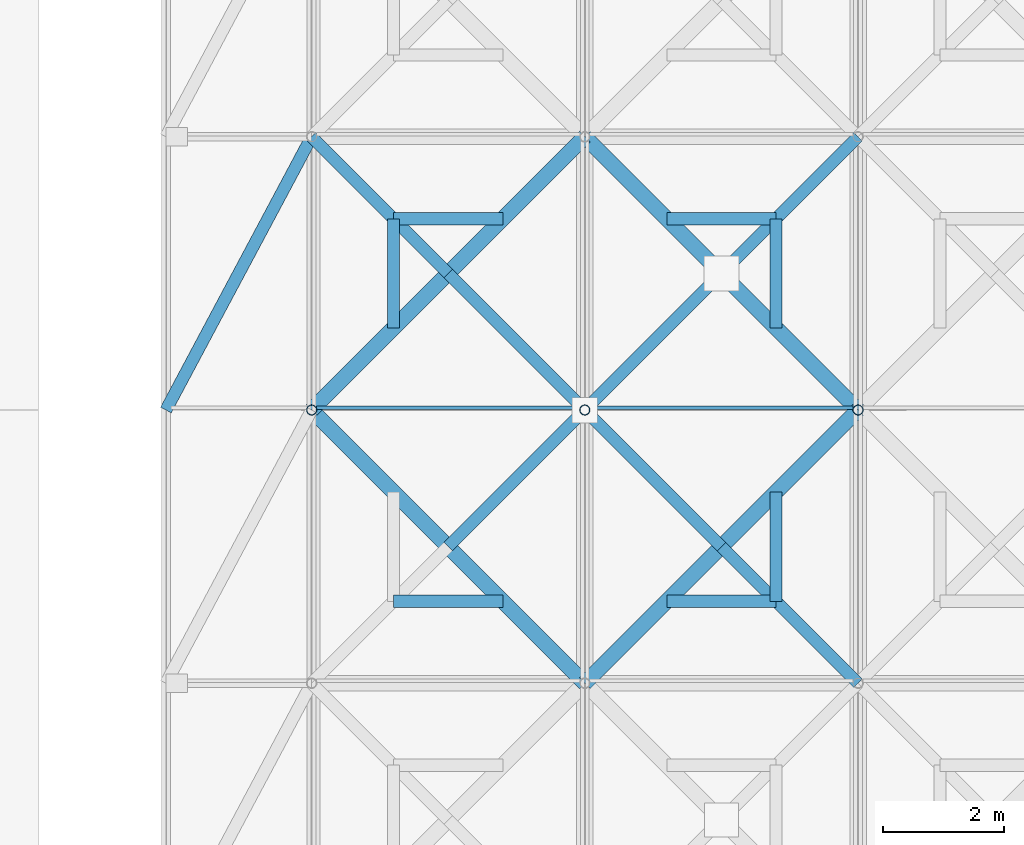
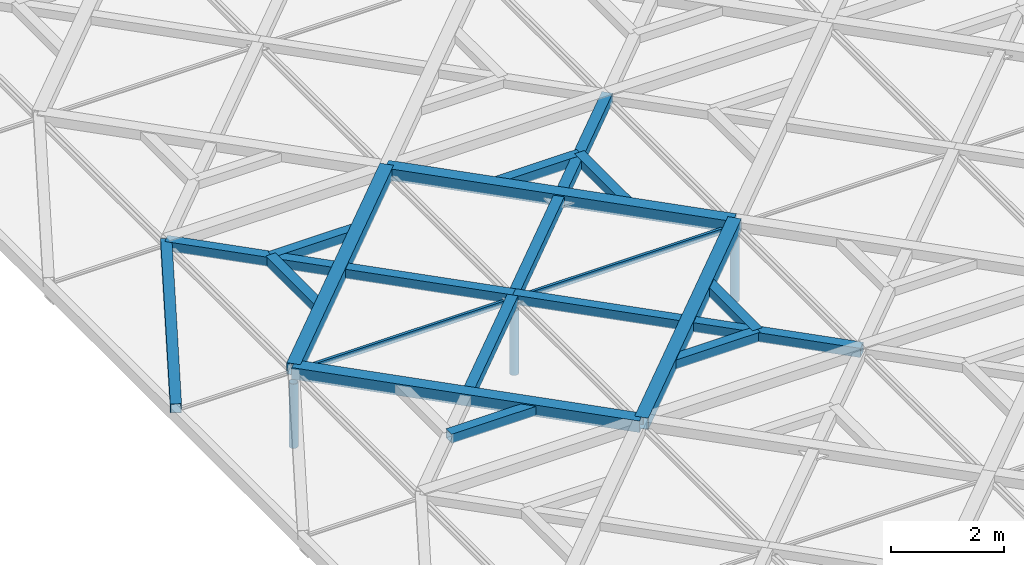
# One storey, part 4 of 80: 23 members, 2 elements without a shape of their own.
"""IFC4 building model written with IfcOpenShell, lengths in metres."""

from ifc_helpers import new_model, si_unit, direction, frame, origin, origin_2d, place, context, subcontext, project, spatial, rectangle, hollow_rectangle, hollow_circle, extrude, material, material_profile, profile_set, type_object, element, aggregate, save


model = new_model("IFC4")

# Units and contexts
model_context = context("Model", 3, precision=1e-05, world=origin(), true_north=direction((0.0, 1.0)))
body_context = subcontext(model_context, "Body", "Model", "MODEL_VIEW")
ifc_project = project(units=[si_unit("LENGTHUNIT", "METRE"), si_unit("AREAUNIT", "SQUARE_METRE"), si_unit("VOLUMEUNIT", "CUBIC_METRE"), si_unit("PLANEANGLEUNIT", "RADIAN"), si_unit("MASSUNIT", "GRAM", prefix="KILO"), si_unit("THERMODYNAMICTEMPERATUREUNIT", "KELVIN"), si_unit("POWERUNIT", "WATT")], contexts=[model_context])

# Site, building, storey
site_placement = place(None, origin())
site = spatial("IfcSite", under=ifc_project, at=site_placement, CompositionType="ELEMENT")
building_placement = place(site_placement, origin())
building = spatial("IfcBuilding", under=site, at=building_placement, Name="Tallowbark Science Centre", CompositionType="ELEMENT")
storey_placement = place(building_placement, frame((0.0, 0.0, 25.949951171875)))
storey = spatial("IfcBuildingStorey", under=building, at=storey_placement, Name="ROOF", CompositionType="ELEMENT", Elevation=25.949951171875)

# Curtain wall, member
ifc_material_1 = material(Name="Blue-Tinted Laminated Low-E Skylight Glass", Category="glass")
curtain_wall_type = type_object("IfcCurtainWallType", Name="CW-SKY-ROOF", PredefinedType="NOTDEFINED", material=ifc_material_1)
curtain_wall_1_placement = place(storey_placement, origin())
curtain_wall_1 = element("IfcCurtainWall", 1, at=curtain_wall_1_placement, inside=storey, type_object=curtain_wall_type, Name="Exhibition Star-Screen Skylight Bay 2", PredefinedType="NOTDEFINED")
ifc_material_2 = material(Name="Anodised Architectural Aluminium Alloy 6063-T6", Category="aluminium")
ifc_material_profile_1 = material_profile(ifc_material_2, rectangle(XDim=0.054931640625, YDim=0.1201171875, at=origin_2d()), Name="ALU55x120")
ifc_profile_set_1 = profile_set([ifc_material_profile_1], Name="Anodised Architectural Aluminium Alloy 6063-T6")
member_type_1 = type_object("IfcMemberType", Name="CWM-SKY-TRN", PredefinedType="USERDEFINED", material=ifc_profile_set_1)
member_1_placement = place(storey_placement, frame((58.580078125, 18.0400390625, 0.35205078125), z_axis=(1.0, 0.0, 0.0), x_axis=(0.0, 1.0, 0.0)))
member_1 = element("IfcMember", 2, at=member_1_placement, type_object=member_type_1, Name="Skylight Bay 2 Transom 5", ObjectType="TRANSOM", PredefinedType="USERDEFINED", context=body_context, shape_type="SweptSolid", body=[
    extrude(rectangle(XDim=0.054931640625, YDim=0.1201171875, at=origin_2d()), origin(), (0.0, 0.0, 1.0), 4.33984375),
])
aggregate(curtain_wall_1, [member_1])

curtain_wall_2_placement = place(storey_placement, origin())
curtain_wall_2 = element("IfcCurtainWall", 3, at=curtain_wall_2_placement, inside=storey, type_object=curtain_wall_type, Name="Exhibition Star-Screen Skylight Bay 3", PredefinedType="NOTDEFINED")
member_2_placement = place(storey_placement, frame((63.080078125, 18.0400390625, 0.35205078125), z_axis=(1.0, 0.0, 0.0), x_axis=(0.0, 1.0, 0.0)))
member_2 = element("IfcMember", 4, at=member_2_placement, type_object=member_type_1, Name="Skylight Bay 3 Transom 5", ObjectType="TRANSOM", PredefinedType="USERDEFINED", context=body_context, shape_type="SweptSolid", body=[
    extrude(rectangle(XDim=0.054931640625, YDim=0.1201171875, at=origin_2d()), origin(), (0.0, 0.0, 1.0), 4.33984375),
])
aggregate(curtain_wall_2, [member_2])

# Members
ifc_material_3 = material(Name="White Architectural Painted Steel Grade C350L0 (350 MPa)", Category="steel")
ifc_material_profile_2 = material_profile(ifc_material_3, hollow_rectangle(XDim=0.25, YDim=0.25, WallThickness=0.009033203125, at=origin_2d()), Name="250x250x9.0SHS")
ifc_profile_set_2 = profile_set([ifc_material_profile_2], Name="White Architectural Painted Steel Grade C350L0 (350 MPa)")
member_type_2 = type_object("IfcMemberType", Name="SCR-CHD200", PredefinedType="CHORD", material=ifc_profile_set_2)
for number, where, z_axis, x_axis, name in (
    (5, (63.0, 13.5, 0.449951171875), (0.707106781187, 0.707106781187, 0.0), (-0.707106781187, 0.707106781187, 0.0), "Star Screen Octagram Diamond Chord TOP-55-1"),
    (6, (67.5, 18.0, 0.449951171875), (-0.707106781187, 0.707106781187, 0.0), (-0.707106781187, -0.707106781187, 0.0), "Star Screen Octagram Diamond Chord TOP-55-2"),
    (7, (63.0, 22.5, 0.449951171875), (-0.707106781187, -0.707106781187, 0.0), (0.707106781187, -0.707106781187, 0.0), "Star Screen Octagram Diamond Chord TOP-55-3"),
    (8, (58.5, 18.0, 0.449951171875), (0.707106781187, -0.707106781187, 0.0), (0.707106781187, 0.707106781187, 0.0), "Star Screen Octagram Diamond Chord TOP-55-4"),
):
    element("IfcMember", number, at=place(storey_placement, frame(where, z_axis=z_axis, x_axis=x_axis)), inside=storey, type_object=member_type_2, Name=name, PredefinedType="CHORD", context=body_context, shape_type="SweptSolid", body=[
        extrude(hollow_rectangle(XDim=0.25, YDim=0.25, WallThickness=0.009033203125, at=origin_2d()), origin(), (0.0, 0.0, 1.0), 6.364013671875),
    ])
ifc_material_profile_3 = material_profile(ifc_material_3, hollow_rectangle(XDim=0.199951171875, YDim=0.199951171875, WallThickness=0.009033203125, at=origin_2d()), Name="200x200x9.0SHS")
ifc_profile_set_3 = profile_set([ifc_material_profile_3], Name="White Architectural Painted Steel Grade C350L0 (350 MPa)")
member_type_3 = type_object("IfcMemberType", Name="SCR-STAR139", PredefinedType="BRACE", material=ifc_profile_set_3)
member_3_placement = place(storey_placement, frame((60.75, 15.75, 0.449951171875), z_axis=(0.707106781187, 0.707106781187, 0.0), x_axis=(-0.707106781187, 0.707106781187, 0.0)))
element("IfcMember", 9, at=member_3_placement, inside=storey, type_object=member_type_3, Name="Star Screen Continuous X-Diagonal D1M TOP-55", PredefinedType="BRACE", context=body_context, shape_type="SweptSolid", body=[
    extrude(hollow_rectangle(XDim=0.199951171875, YDim=0.199951171875, WallThickness=0.009033203125, at=origin_2d()), origin(), (0.0, 0.0, 1.0), 6.364013671875),
])
for number, where, z_axis, x_axis, name in (
    (10, (65.25, 20.25, 0.449951171875), (0.707106781187, 0.707106781187, 0.0), (-0.707106781187, 0.707106781187, 0.0), "Star Screen Continuous X-Diagonal D1B TOP-55"),
    (11, (58.5, 22.5, 0.449951171875), (0.707106781187, -0.707106781187, 0.0), (0.707106781187, 0.707106781187, 0.0), "Star Screen Split X-Diagonal D2A TOP-55"),
    (12, (60.75, 20.25, 0.449951171875), (0.707106781187, -0.707106781187, 0.0), (0.707106781187, 0.707106781187, 0.0), "Star Screen Split X-Diagonal D2B TOP-55"),
    (13, (63.0, 18.0, 0.449951171875), (0.707106781187, -0.707106781187, 0.0), (0.707106781187, 0.707106781187, 0.0), "Star Screen Split X-Diagonal D2C TOP-55"),
    (14, (65.25, 15.75, 0.449951171875), (0.707106781187, -0.707106781187, 0.0), (0.707106781187, 0.707106781187, 0.0), "Star Screen Split X-Diagonal D2D TOP-55"),
):
    element("IfcMember", number, at=place(storey_placement, frame(where, z_axis=z_axis, x_axis=x_axis)), inside=storey, type_object=member_type_3, Name=name, PredefinedType="BRACE", context=body_context, shape_type="SweptSolid", body=[
        extrude(hollow_rectangle(XDim=0.199951171875, YDim=0.199951171875, WallThickness=0.009033203125, at=origin_2d()), origin(), (0.0, 0.0, 1.0), 3.181884765625),
    ])
member_4_placement = place(storey_placement, frame((56.10009765625, 18.0, 0.449951171875), z_axis=(0.470573327259, 0.882360891967, 0.0), x_axis=(-0.882360891967, 0.470573327259, 0.0)))
element("IfcMember", 15, at=member_4_placement, inside=storey, type_object=member_type_3, Name="Top Perimeter Gap Star Diagonal 1-5", PredefinedType="BRACE", context=body_context, shape_type="SweptSolid", body=[
    extrude(hollow_rectangle(XDim=0.199951171875, YDim=0.199951171875, WallThickness=0.009033203125, at=origin_2d()), origin(), (0.0, 0.0, 1.0), 5.099853515625),
])
ifc_material_profile_4 = material_profile(ifc_material_3, hollow_rectangle(XDim=0.199951171875, YDim=0.199951171875, WallThickness=0.009033203125, at=origin_2d()), Name="200x200x9.0SHS")
ifc_profile_set_4 = profile_set([ifc_material_profile_4], Name="White Architectural Painted Steel Grade C350L0 (350 MPa)")
member_type_4 = type_object("IfcMemberType", Name="SCR-SUB150", PredefinedType="BRACE", material=ifc_profile_set_4)
for number, where, z_axis, x_axis, name in (
    (16, (59.85009765625, 14.85009765625, 0.449951171875), (1.0, 0.0, 0.0), (0.0, 1.0, 0.0), "Star Screen Octagram Point Ray TOP-55-1"),
    (17, (66.14990234375, 14.85009765625, 0.449951171875), (-1.0, 0.0, 0.0), (0.0, -1.0, 0.0), "Star Screen Octagram Point Ray TOP-55-3"),
    (18, (66.14990234375, 14.85009765625, 0.449951171875), (0.0, 1.0, 0.0), (-1.0, 0.0, 0.0), "Star Screen Octagram Point Ray TOP-55-4"),
    (19, (66.14990234375, 21.14990234375, 0.449951171875), (-1.0, 0.0, 0.0), (0.0, -1.0, 0.0), "Star Screen Octagram Point Ray TOP-55-5"),
    (20, (66.14990234375, 21.14990234375, 0.449951171875), (0.0, -1.0, 0.0), (1.0, 0.0, 0.0), "Star Screen Octagram Point Ray TOP-55-6"),
    (21, (59.85009765625, 21.14990234375, 0.449951171875), (1.0, 0.0, 0.0), (0.0, 1.0, 0.0), "Star Screen Octagram Point Ray TOP-55-7"),
    (22, (59.85009765625, 21.14990234375, 0.449951171875), (0.0, -1.0, 0.0), (1.0, 0.0, 0.0), "Star Screen Octagram Point Ray TOP-55-8"),
):
    element("IfcMember", number, at=place(storey_placement, frame(where, z_axis=z_axis, x_axis=x_axis)), inside=storey, type_object=member_type_4, Name=name, PredefinedType="BRACE", context=body_context, shape_type="SweptSolid", body=[
        extrude(hollow_rectangle(XDim=0.199951171875, YDim=0.199951171875, WallThickness=0.009033203125, at=origin_2d()), origin(), (0.0, 0.0, 1.0), 1.7998046875),
    ])
ifc_material_profile_5 = material_profile(ifc_material_3, hollow_circle(Radius=0.084228515625, WallThickness=0.007080078125, at=origin_2d()), Name="168.3x7.1CHS")
ifc_profile_set_5 = profile_set([ifc_material_profile_5], Name="White Architectural Painted Steel Grade C350L0 (350 MPa)")
member_type_5 = type_object("IfcMemberType", Name="TR-WEB168", PredefinedType="BRACE", material=ifc_profile_set_5)
for number, where, z_axis, x_axis, name in (
    (23, (58.5, 18.0, -1.199951171875), (0.0, 0.0, 1.0), (1.0, 0.0, 0.0), "Exhibition Roof Truss Web 1-18"),
    (24, (63.0, 18.0, -1.199951171875), (0.0, 0.0, 1.0), (1.0, 0.0, 0.0), "Exhibition Roof Truss Web 2-18"),
    (25, (67.5, 18.0, -1.199951171875), (0.0, 0.0, 1.0), (1.0, 0.0, 0.0), "Exhibition Roof Truss Web 3-18"),
):
    element("IfcMember", number, at=place(storey_placement, frame(where, z_axis=z_axis, x_axis=x_axis)), inside=storey, type_object=member_type_5, Name=name, PredefinedType="BRACE", context=body_context, shape_type="SweptSolid", body=[
        extrude(hollow_circle(Radius=0.084228515625, WallThickness=0.007080078125, at=origin_2d()), origin(), (0.0, 0.0, 1.0), 1.389892578125),
    ])

save(model, "model.ifc")
